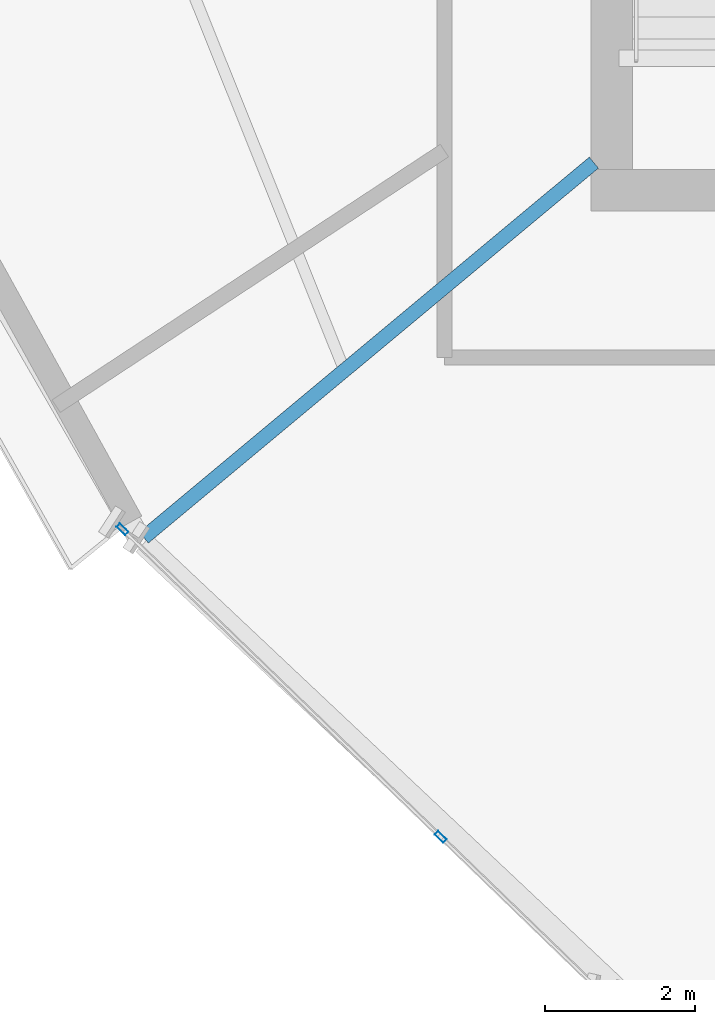
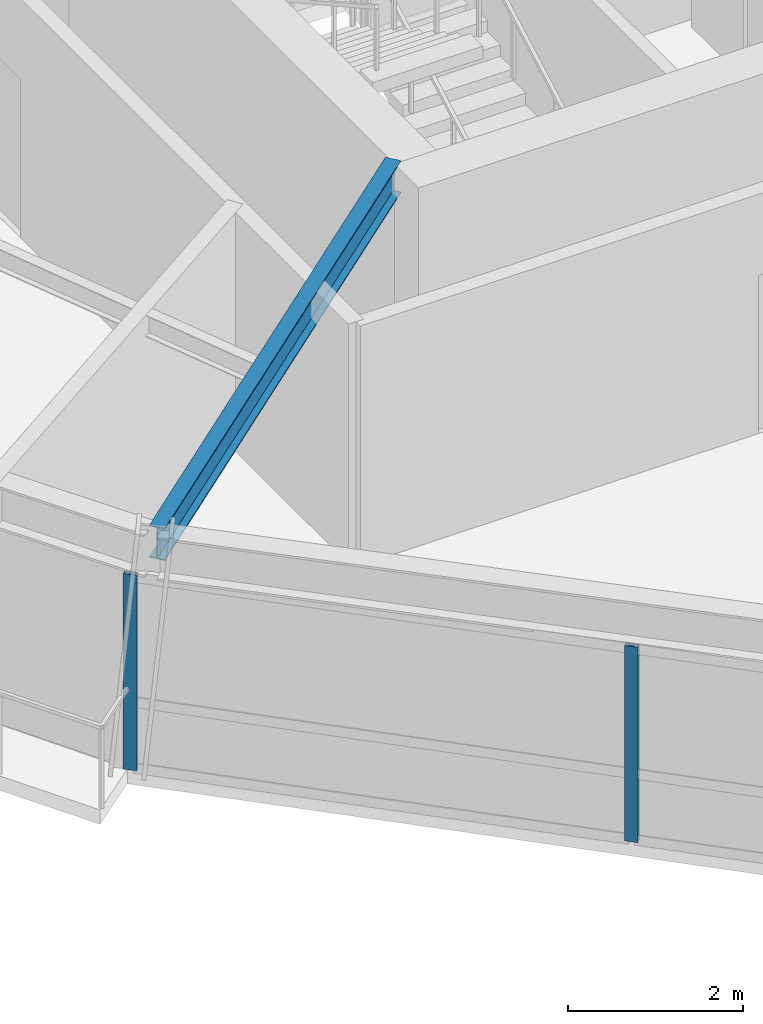
# One storey, part 2 of 13: 2 members, 1 beam, 1 element without a shape of its own.
"""IFC4 building model written with IfcOpenShell, lengths in metres."""

from ifc_helpers import new_model, si_unit, direction, frame, origin, origin_2d, place, context, subcontext, project, spatial, hollow_rectangle, i_section, extrude, source, transform, mapped, material, material_profile, profile_set, type_object, element, aggregate, save


model = new_model("IFC4")

# Units and contexts
model_context = context("Model", 3, precision=1e-05, world=origin(), true_north=direction((0.0, 1.0)))
body_context = subcontext(model_context, "Body", "Model", "MODEL_VIEW")
ifc_project = project(units=[si_unit("LENGTHUNIT", "METRE"), si_unit("AREAUNIT", "SQUARE_METRE"), si_unit("VOLUMEUNIT", "CUBIC_METRE"), si_unit("PLANEANGLEUNIT", "RADIAN"), si_unit("MASSUNIT", "GRAM", prefix="KILO")], contexts=[model_context])

# Site, building, storey
site_placement = place(None, origin())
site = spatial("IfcSite", under=ifc_project, at=site_placement, CompositionType="ELEMENT")
building_placement = place(site_placement, origin())
building = spatial("IfcBuilding", under=site, at=building_placement, Name="Olszyna Solenne Hotel", CompositionType="ELEMENT")
storey_placement = place(building_placement, frame((0.0, 0.0, 192.75)))
storey = spatial("IfcBuildingStorey", under=building, at=storey_placement, Name="L51", CompositionType="ELEMENT", Elevation=192.75)

# Beam
ifc_material_1 = material(Name="Steel S355J2", Category="steel")
ifc_material_profile_1 = material_profile(ifc_material_1, i_section(OverallWidth=0.18994140625, OverallDepth=0.449951171875, WebThickness=0.009521484375, FlangeThickness=0.0146484375, at=origin_2d()), Name="IPE 450", Category="load-bearing")
ifc_profile_set_1 = profile_set([ifc_material_profile_1], Name="Steel S355J2")
beam_type = type_object("IfcBeamType", Name="BM-F4", PredefinedType="BEAM", material=ifc_profile_set_1)
shared_shape_1 = source(origin(), body_context, "Body", "SweptSolid", [
    extrude(i_section(OverallWidth=0.18994140625, OverallDepth=0.449951171875, WebThickness=0.009521484375, FlangeThickness=0.0146484375, at=origin_2d()), origin(), (0.0, 0.0, 1.0), 7.794189453125),
])
beam_placement = place(storey_placement, frame((23.599609375, 14.60546875, 3.10498046875), z_axis=(0.768370174728, 0.640005683247, 0.0), x_axis=(-0.640005683247, 0.768370174728, 0.0)))
element("IfcBeam", 1, at=beam_placement, inside=storey, type_object=beam_type, Name="Radial floor girder BM-F4 B-L51-1529", PredefinedType="BEAM", context=body_context, shape_type="MappedRepresentation", body=[
    mapped(shared_shape_1, transform((0.0, 0.0, 0.0), x_axis=(1.0, 0.0, 0.0), y_axis=(0.0, 1.0, 0.0), z_axis=(0.0, 0.0, 1.0), scale=1.0)),
])

# Curtain wall, members
ifc_material_2 = material(Name="Anodised bronze aluminium", Category="aluminium")
curtain_wall_type = type_object("IfcCurtainWallType", Name="CW-SYS-4", PredefinedType="NOTDEFINED", material=ifc_material_2)
curtain_wall_placement = place(storey_placement, origin())
curtain_wall = element("IfcCurtainWall", 2, at=curtain_wall_placement, inside=storey, type_object=curtain_wall_type, Name="Unitised curtain wall CW-SYS-4 CW-L51-01", PredefinedType="NOTDEFINED")
ifc_material_profile_2 = material_profile(ifc_material_2, hollow_rectangle(XDim=0.06494140625, YDim=0.159912109375, WallThickness=0.00390625, at=origin_2d()), Name="MULL 160x65x4", Category="load-bearing")
ifc_profile_set_2 = profile_set([ifc_material_profile_2], Name="Anodised bronze aluminium")
member_type = type_object("IfcMemberType", Name="CW-M3", PredefinedType="MULLION", material=ifc_profile_set_2)
shared_shape_2 = source(origin(), body_context, "Body", "SweptSolid", [
    extrude(hollow_rectangle(XDim=0.06494140625, YDim=0.159912109375, WallThickness=0.00390625, at=origin_2d()), origin(), (0.0, 0.0, 1.0), 2.721923828125),
])
member_1_placement = place(storey_placement, frame((23.3154296875, 14.71435546875, 0.0), z_axis=(0.0, 0.0, 1.0), x_axis=(0.695023357855, 0.718987157073, 0.0)))
member_1 = element("IfcMember", 3, at=member_1_placement, type_object=member_type, Name="Curtain-wall mullion CW-M3 CM-L51-01-01", PredefinedType="MULLION", context=body_context, shape_type="MappedRepresentation", body=[
    mapped(shared_shape_2, transform((0.0, 0.0, 0.0), x_axis=(1.0, 0.0, 0.0), y_axis=(0.0, 1.0, 0.0), z_axis=(0.0, 0.0, 1.0), scale=1.0)),
])
member_2_placement = place(storey_placement, frame((27.549560546875, 10.62158203125, 0.0), z_axis=(0.0, 0.0, 1.0), x_axis=(0.695023357855, 0.718987157073, 0.0)))
member_2 = element("IfcMember", 4, at=member_2_placement, type_object=member_type, Name="Curtain-wall mullion CW-M3 CM-L51-01-02", PredefinedType="MULLION", context=body_context, shape_type="MappedRepresentation", body=[
    mapped(shared_shape_2, transform((0.0, 0.0, 0.0), x_axis=(1.0, 0.0, 0.0), y_axis=(0.0, 1.0, 0.0), z_axis=(0.0, 0.0, 1.0), scale=1.0)),
])
aggregate(curtain_wall, [member_1, member_2])

save(model, "model.ifc")
